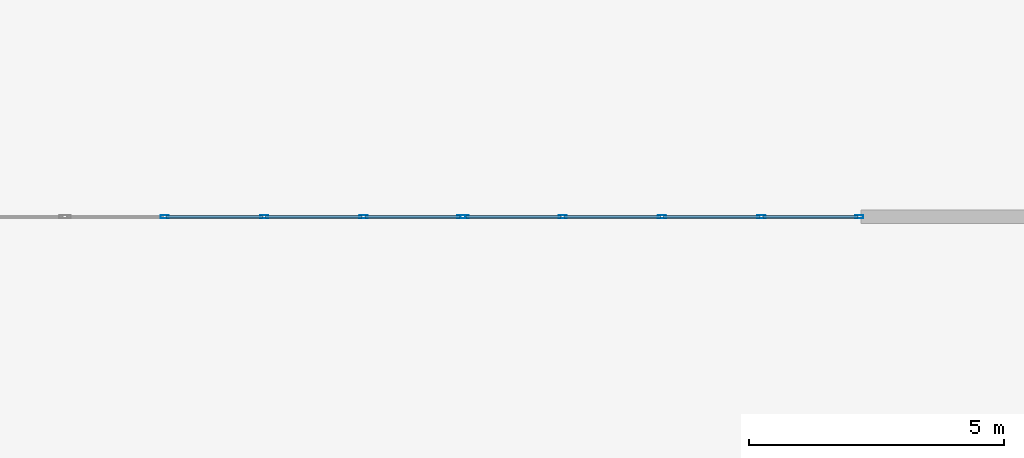
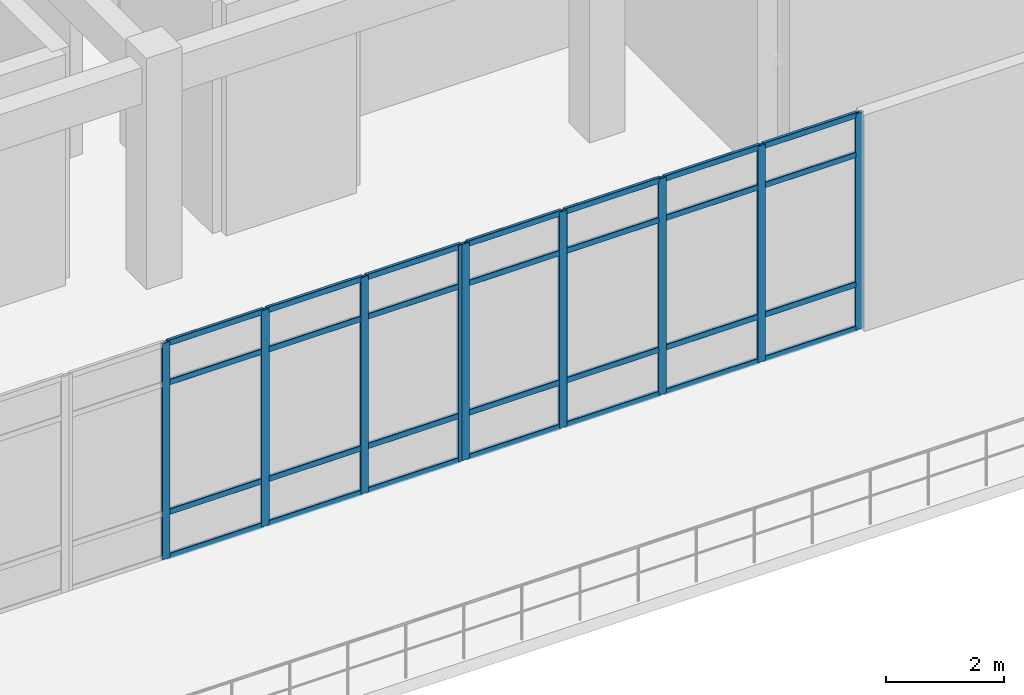
# One storey, part 14 of 64: 37 members, 2 elements without a shape of their own.
"""IFC4 building model written with IfcOpenShell, lengths in metres."""

from ifc_helpers import new_model, si_unit, derived_unit, direction, frame, origin, origin_2d, place, context, subcontext, project, spatial, hollow_rectangle, extrude, material, layer, layer_set, material_profile, profile_set, type_object, element, aggregate, save


model = new_model("IFC4")

# Units and contexts
model_context = context("Model", 3, precision=1e-05, world=origin(), true_north=direction((0.0, 1.0)))
body_context = subcontext(model_context, "Body", "Model", "MODEL_VIEW")
ifc_project = project(units=[si_unit("LENGTHUNIT", "METRE"), si_unit("AREAUNIT", "SQUARE_METRE"), si_unit("VOLUMEUNIT", "CUBIC_METRE"), si_unit("PLANEANGLEUNIT", "RADIAN"), si_unit("MASSUNIT", "GRAM", prefix="KILO"), derived_unit("THERMALTRANSMITTANCEUNIT", [(si_unit("MASSUNIT", "GRAM", prefix="KILO"), 1), (si_unit("TIMEUNIT", "SECOND"), -3), (si_unit("THERMODYNAMICTEMPERATUREUNIT", "KELVIN"), -1)])], contexts=[model_context])

# Site, building, storey
site_placement = place(None, origin())
site = spatial("IfcSite", under=ifc_project, at=site_placement, CompositionType="ELEMENT")
building_placement = place(site_placement, origin())
building = spatial("IfcBuilding", under=site, at=building_placement, Name="Qinzheling Arcade Emporium", CompositionType="ELEMENT")
storey_placement = place(building_placement, frame((0.0, 0.0, 31.5)))
storey = spatial("IfcBuildingStorey", under=building, at=storey_placement, Name="L07", CompositionType="ELEMENT", Elevation=31.5)

# Curtain wall, members
ifc_material_1 = material(Name="Anodised aluminium and solar-control double glazing", Category="aluminium")
ifc_layer = layer(ifc_material_1, 0.159912109375, Name="Anodised aluminium and solar-control double glazing", Category="aluminium")
ifc_layer_set = layer_set([ifc_layer], Name="Anodised aluminium and solar-control double glazing")
curtain_wall_type = type_object("IfcCurtainWallType", Name="Arcade Portal Glazed Curtain Wall", PredefinedType="NOTDEFINED", material=ifc_layer_set)
curtain_wall_1_placement = place(storey_placement, origin())
curtain_wall_1 = element("IfcCurtainWall", 1, at=curtain_wall_1_placement, inside=storey, type_object=curtain_wall_type, Name="Curtain Wall CW-L07-397", PredefinedType="NOTDEFINED")
ifc_material_2 = material(Name="Anodised aluminium 6063-T6", Category="aluminium")
ifc_material_profile_1 = material_profile(ifc_material_2, hollow_rectangle(XDim=0.06005859375, YDim=0.159912109375, WallThickness=0.00390625, InnerFilletRadius=0.00390625, OuterFilletRadius=0.008056640625, at=origin_2d()), Name="RHS 160x60x4", Category="aluminium")
ifc_profile_set_1 = profile_set([ifc_material_profile_1], Name="Anodised aluminium 6063-T6")
member_type_1 = type_object("IfcMemberType", Name="Curtain Wall Mullion RHS160x60", PredefinedType="MULLION", material=ifc_profile_set_1)
member_1_placement = place(storey_placement, frame((61.76806640625, 17.800048828125, 0.0), z_axis=(0.0, 0.0, 1.0), x_axis=(0.0, -1.0, 0.0)))
member_1 = element("IfcMember", 2, at=member_1_placement, type_object=member_type_1, Name="CW05 mullion 1", PredefinedType="MULLION", context=body_context, shape_type="SweptSolid", body=[
    extrude(hollow_rectangle(XDim=0.06005859375, YDim=0.159912109375, WallThickness=0.00390625, InnerFilletRadius=0.00390625, OuterFilletRadius=0.008056640625, at=origin_2d()), origin(), (0.0, 0.0, 1.0), 4.489990234375),
])
member_2_placement = place(storey_placement, frame((59.84912109375, 17.800048828125, 0.0), z_axis=(0.0, 0.0, 1.0), x_axis=(0.0, -1.0, 0.0)))
member_2 = element("IfcMember", 3, at=member_2_placement, type_object=member_type_1, Name="CW05 mullion 2", PredefinedType="MULLION", context=body_context, shape_type="SweptSolid", body=[
    extrude(hollow_rectangle(XDim=0.06005859375, YDim=0.159912109375, WallThickness=0.00390625, InnerFilletRadius=0.00390625, OuterFilletRadius=0.008056640625, at=origin_2d()), origin(), (0.0, 0.0, 1.0), 4.489990234375),
])
member_3_placement = place(storey_placement, frame((57.89990234375, 17.800048828125, 0.0), z_axis=(0.0, 0.0, 1.0), x_axis=(0.0, -1.0, 0.0)))
member_3 = element("IfcMember", 4, at=member_3_placement, type_object=member_type_1, Name="CW05 mullion 3", PredefinedType="MULLION", context=body_context, shape_type="SweptSolid", body=[
    extrude(hollow_rectangle(XDim=0.06005859375, YDim=0.159912109375, WallThickness=0.00390625, InnerFilletRadius=0.00390625, OuterFilletRadius=0.008056640625, at=origin_2d()), origin(), (0.0, 0.0, 1.0), 4.489990234375),
])
member_4_placement = place(storey_placement, frame((55.950927734375, 17.800048828125, 0.0), z_axis=(0.0, 0.0, 1.0), x_axis=(0.0, -1.0, 0.0)))
member_4 = element("IfcMember", 5, at=member_4_placement, type_object=member_type_1, Name="CW05 mullion 4", PredefinedType="MULLION", context=body_context, shape_type="SweptSolid", body=[
    extrude(hollow_rectangle(XDim=0.06005859375, YDim=0.159912109375, WallThickness=0.00390625, InnerFilletRadius=0.00390625, OuterFilletRadius=0.008056640625, at=origin_2d()), origin(), (0.0, 0.0, 1.0), 4.489990234375),
])
member_5_placement = place(storey_placement, frame((54.031982421875, 17.800048828125, 0.0), z_axis=(0.0, 0.0, 1.0), x_axis=(0.0, -1.0, 0.0)))
member_5 = element("IfcMember", 6, at=member_5_placement, type_object=member_type_1, Name="CW05 mullion 5", PredefinedType="MULLION", context=body_context, shape_type="SweptSolid", body=[
    extrude(hollow_rectangle(XDim=0.06005859375, YDim=0.159912109375, WallThickness=0.00390625, InnerFilletRadius=0.00390625, OuterFilletRadius=0.008056640625, at=origin_2d()), origin(), (0.0, 0.0, 1.0), 4.489990234375),
])

curtain_wall_2_placement = place(storey_placement, origin())
curtain_wall_2 = element("IfcCurtainWall", 7, at=curtain_wall_2_placement, inside=storey, type_object=curtain_wall_type, Name="Curtain Wall CW-L07-398", PredefinedType="NOTDEFINED")
member_6_placement = place(storey_placement, frame((53.968017578125, 17.800048828125, 0.0), z_axis=(0.0, 0.0, 1.0), x_axis=(0.0, -1.0, 0.0)))
member_6 = element("IfcMember", 8, at=member_6_placement, type_object=member_type_1, Name="CW05 mullion 1", PredefinedType="MULLION", context=body_context, shape_type="SweptSolid", body=[
    extrude(hollow_rectangle(XDim=0.06005859375, YDim=0.159912109375, WallThickness=0.00390625, InnerFilletRadius=0.00390625, OuterFilletRadius=0.008056640625, at=origin_2d()), origin(), (0.0, 0.0, 1.0), 4.489990234375),
])
member_7_placement = place(storey_placement, frame((52.049072265625, 17.800048828125, 0.0), z_axis=(0.0, 0.0, 1.0), x_axis=(0.0, -1.0, 0.0)))
member_7 = element("IfcMember", 9, at=member_7_placement, type_object=member_type_1, Name="CW05 mullion 2", PredefinedType="MULLION", context=body_context, shape_type="SweptSolid", body=[
    extrude(hollow_rectangle(XDim=0.06005859375, YDim=0.159912109375, WallThickness=0.00390625, InnerFilletRadius=0.00390625, OuterFilletRadius=0.008056640625, at=origin_2d()), origin(), (0.0, 0.0, 1.0), 4.489990234375),
])
member_8_placement = place(storey_placement, frame((50.10009765625, 17.800048828125, 0.0), z_axis=(0.0, 0.0, 1.0), x_axis=(0.0, -1.0, 0.0)))
member_8 = element("IfcMember", 10, at=member_8_placement, type_object=member_type_1, Name="CW05 mullion 3", PredefinedType="MULLION", context=body_context, shape_type="SweptSolid", body=[
    extrude(hollow_rectangle(XDim=0.06005859375, YDim=0.159912109375, WallThickness=0.00390625, InnerFilletRadius=0.00390625, OuterFilletRadius=0.008056640625, at=origin_2d()), origin(), (0.0, 0.0, 1.0), 4.489990234375),
])
member_9_placement = place(storey_placement, frame((48.15087890625, 17.800048828125, 0.0), z_axis=(0.0, 0.0, 1.0), x_axis=(0.0, -1.0, 0.0)))
member_9 = element("IfcMember", 11, at=member_9_placement, type_object=member_type_1, Name="CW05 mullion 4", PredefinedType="MULLION", context=body_context, shape_type="SweptSolid", body=[
    extrude(hollow_rectangle(XDim=0.06005859375, YDim=0.159912109375, WallThickness=0.00390625, InnerFilletRadius=0.00390625, OuterFilletRadius=0.008056640625, at=origin_2d()), origin(), (0.0, 0.0, 1.0), 4.489990234375),
])

# Member
ifc_material_profile_2 = material_profile(ifc_material_2, hollow_rectangle(XDim=0.06005859375, YDim=0.1201171875, WallThickness=0.00390625, InnerFilletRadius=0.00390625, OuterFilletRadius=0.008056640625, at=origin_2d()), Name="RHS 120x60x4", Category="aluminium")
ifc_profile_set_2 = profile_set([ifc_material_profile_2], Name="Anodised aluminium 6063-T6")
member_type_2 = type_object("IfcMemberType", Name="Curtain Wall Transom RHS120x60", PredefinedType="USERDEFINED", material=ifc_profile_set_2)
member_10_placement = place(storey_placement, frame((61.738037109375, 17.800048828125, 0.030029296875), z_axis=(-1.0, 0.0, 0.0), x_axis=(0.0, -1.0, 0.0)))
member_10 = element("IfcMember", 12, at=member_10_placement, type_object=member_type_2, Name="CW05 transom 1.1", ObjectType="TRANSOM", PredefinedType="USERDEFINED", context=body_context, shape_type="SweptSolid", body=[
    extrude(hollow_rectangle(XDim=0.06005859375, YDim=0.1201171875, WallThickness=0.00390625, InnerFilletRadius=0.00390625, OuterFilletRadius=0.008056640625, at=origin_2d()), origin(), (0.0, 0.0, 1.0), 1.859130859375),
])

member_11_placement = place(storey_placement, frame((61.738037109375, 17.800048828125, 0.949951171875), z_axis=(-1.0, 0.0, 0.0), x_axis=(0.0, -1.0, 0.0)))
member_11 = element("IfcMember", 13, at=member_11_placement, type_object=member_type_2, Name="CW05 transom 1.2", ObjectType="TRANSOM", PredefinedType="USERDEFINED", context=body_context, shape_type="SweptSolid", body=[
    extrude(hollow_rectangle(XDim=0.06005859375, YDim=0.1201171875, WallThickness=0.00390625, InnerFilletRadius=0.00390625, OuterFilletRadius=0.008056640625, at=origin_2d()), origin(), (0.0, 0.0, 1.0), 1.859130859375),
])

member_12_placement = place(storey_placement, frame((61.738037109375, 17.800048828125, 3.639892578125), z_axis=(-1.0, 0.0, 0.0), x_axis=(0.0, -1.0, 0.0)))
member_12 = element("IfcMember", 14, at=member_12_placement, type_object=member_type_2, Name="CW05 transom 1.3", ObjectType="TRANSOM", PredefinedType="USERDEFINED", context=body_context, shape_type="SweptSolid", body=[
    extrude(hollow_rectangle(XDim=0.06005859375, YDim=0.1201171875, WallThickness=0.00390625, InnerFilletRadius=0.00390625, OuterFilletRadius=0.008056640625, at=origin_2d()), origin(), (0.0, 0.0, 1.0), 1.859130859375),
])

member_13_placement = place(storey_placement, frame((61.738037109375, 17.800048828125, 4.4599609375), z_axis=(-1.0, 0.0, 0.0), x_axis=(0.0, -1.0, 0.0)))
member_13 = element("IfcMember", 15, at=member_13_placement, type_object=member_type_2, Name="CW05 transom 1.4", ObjectType="TRANSOM", PredefinedType="USERDEFINED", context=body_context, shape_type="SweptSolid", body=[
    extrude(hollow_rectangle(XDim=0.06005859375, YDim=0.1201171875, WallThickness=0.00390625, InnerFilletRadius=0.00390625, OuterFilletRadius=0.008056640625, at=origin_2d()), origin(), (0.0, 0.0, 1.0), 1.859130859375),
])

member_14_placement = place(storey_placement, frame((59.819091796875, 17.800048828125, 0.030029296875), z_axis=(-1.0, 0.0, 0.0), x_axis=(0.0, -1.0, 0.0)))
member_14 = element("IfcMember", 16, at=member_14_placement, type_object=member_type_2, Name="CW05 transom 2.1", ObjectType="TRANSOM", PredefinedType="USERDEFINED", context=body_context, shape_type="SweptSolid", body=[
    extrude(hollow_rectangle(XDim=0.06005859375, YDim=0.1201171875, WallThickness=0.00390625, InnerFilletRadius=0.00390625, OuterFilletRadius=0.008056640625, at=origin_2d()), origin(), (0.0, 0.0, 1.0), 1.88916015625),
])

member_15_placement = place(storey_placement, frame((59.819091796875, 17.800048828125, 0.949951171875), z_axis=(-1.0, 0.0, 0.0), x_axis=(0.0, -1.0, 0.0)))
member_15 = element("IfcMember", 17, at=member_15_placement, type_object=member_type_2, Name="CW05 transom 2.2", ObjectType="TRANSOM", PredefinedType="USERDEFINED", context=body_context, shape_type="SweptSolid", body=[
    extrude(hollow_rectangle(XDim=0.06005859375, YDim=0.1201171875, WallThickness=0.00390625, InnerFilletRadius=0.00390625, OuterFilletRadius=0.008056640625, at=origin_2d()), origin(), (0.0, 0.0, 1.0), 1.88916015625),
])

member_16_placement = place(storey_placement, frame((59.819091796875, 17.800048828125, 3.639892578125), z_axis=(-1.0, 0.0, 0.0), x_axis=(0.0, -1.0, 0.0)))
member_16 = element("IfcMember", 18, at=member_16_placement, type_object=member_type_2, Name="CW05 transom 2.3", ObjectType="TRANSOM", PredefinedType="USERDEFINED", context=body_context, shape_type="SweptSolid", body=[
    extrude(hollow_rectangle(XDim=0.06005859375, YDim=0.1201171875, WallThickness=0.00390625, InnerFilletRadius=0.00390625, OuterFilletRadius=0.008056640625, at=origin_2d()), origin(), (0.0, 0.0, 1.0), 1.88916015625),
])

member_17_placement = place(storey_placement, frame((59.819091796875, 17.800048828125, 4.4599609375), z_axis=(-1.0, 0.0, 0.0), x_axis=(0.0, -1.0, 0.0)))
member_17 = element("IfcMember", 19, at=member_17_placement, type_object=member_type_2, Name="CW05 transom 2.4", ObjectType="TRANSOM", PredefinedType="USERDEFINED", context=body_context, shape_type="SweptSolid", body=[
    extrude(hollow_rectangle(XDim=0.06005859375, YDim=0.1201171875, WallThickness=0.00390625, InnerFilletRadius=0.00390625, OuterFilletRadius=0.008056640625, at=origin_2d()), origin(), (0.0, 0.0, 1.0), 1.88916015625),
])

member_18_placement = place(storey_placement, frame((57.8701171875, 17.800048828125, 0.030029296875), z_axis=(-1.0, 0.0, 0.0), x_axis=(0.0, -1.0, 0.0)))
member_18 = element("IfcMember", 20, at=member_18_placement, type_object=member_type_2, Name="CW05 transom 3.1", ObjectType="TRANSOM", PredefinedType="USERDEFINED", context=body_context, shape_type="SweptSolid", body=[
    extrude(hollow_rectangle(XDim=0.06005859375, YDim=0.1201171875, WallThickness=0.00390625, InnerFilletRadius=0.00390625, OuterFilletRadius=0.008056640625, at=origin_2d()), origin(), (0.0, 0.0, 1.0), 1.88916015625),
])

member_19_placement = place(storey_placement, frame((57.8701171875, 17.800048828125, 0.949951171875), z_axis=(-1.0, 0.0, 0.0), x_axis=(0.0, -1.0, 0.0)))
member_19 = element("IfcMember", 21, at=member_19_placement, type_object=member_type_2, Name="CW05 transom 3.2", ObjectType="TRANSOM", PredefinedType="USERDEFINED", context=body_context, shape_type="SweptSolid", body=[
    extrude(hollow_rectangle(XDim=0.06005859375, YDim=0.1201171875, WallThickness=0.00390625, InnerFilletRadius=0.00390625, OuterFilletRadius=0.008056640625, at=origin_2d()), origin(), (0.0, 0.0, 1.0), 1.88916015625),
])

member_20_placement = place(storey_placement, frame((57.8701171875, 17.800048828125, 3.639892578125), z_axis=(-1.0, 0.0, 0.0), x_axis=(0.0, -1.0, 0.0)))
member_20 = element("IfcMember", 22, at=member_20_placement, type_object=member_type_2, Name="CW05 transom 3.3", ObjectType="TRANSOM", PredefinedType="USERDEFINED", context=body_context, shape_type="SweptSolid", body=[
    extrude(hollow_rectangle(XDim=0.06005859375, YDim=0.1201171875, WallThickness=0.00390625, InnerFilletRadius=0.00390625, OuterFilletRadius=0.008056640625, at=origin_2d()), origin(), (0.0, 0.0, 1.0), 1.88916015625),
])

member_21_placement = place(storey_placement, frame((57.8701171875, 17.800048828125, 4.4599609375), z_axis=(-1.0, 0.0, 0.0), x_axis=(0.0, -1.0, 0.0)))
member_21 = element("IfcMember", 23, at=member_21_placement, type_object=member_type_2, Name="CW05 transom 3.4", ObjectType="TRANSOM", PredefinedType="USERDEFINED", context=body_context, shape_type="SweptSolid", body=[
    extrude(hollow_rectangle(XDim=0.06005859375, YDim=0.1201171875, WallThickness=0.00390625, InnerFilletRadius=0.00390625, OuterFilletRadius=0.008056640625, at=origin_2d()), origin(), (0.0, 0.0, 1.0), 1.88916015625),
])

member_22_placement = place(storey_placement, frame((55.9208984375, 17.800048828125, 0.030029296875), z_axis=(-1.0, 0.0, 0.0), x_axis=(0.0, -1.0, 0.0)))
member_22 = element("IfcMember", 24, at=member_22_placement, type_object=member_type_2, Name="CW05 transom 4.1", ObjectType="TRANSOM", PredefinedType="USERDEFINED", context=body_context, shape_type="SweptSolid", body=[
    extrude(hollow_rectangle(XDim=0.06005859375, YDim=0.1201171875, WallThickness=0.00390625, InnerFilletRadius=0.00390625, OuterFilletRadius=0.008056640625, at=origin_2d()), origin(), (0.0, 0.0, 1.0), 1.85888671875),
])

member_23_placement = place(storey_placement, frame((55.9208984375, 17.800048828125, 0.949951171875), z_axis=(-1.0, 0.0, 0.0), x_axis=(0.0, -1.0, 0.0)))
member_23 = element("IfcMember", 25, at=member_23_placement, type_object=member_type_2, Name="CW05 transom 4.2", ObjectType="TRANSOM", PredefinedType="USERDEFINED", context=body_context, shape_type="SweptSolid", body=[
    extrude(hollow_rectangle(XDim=0.06005859375, YDim=0.1201171875, WallThickness=0.00390625, InnerFilletRadius=0.00390625, OuterFilletRadius=0.008056640625, at=origin_2d()), origin(), (0.0, 0.0, 1.0), 1.85888671875),
])

member_24_placement = place(storey_placement, frame((55.9208984375, 17.800048828125, 3.639892578125), z_axis=(-1.0, 0.0, 0.0), x_axis=(0.0, -1.0, 0.0)))
member_24 = element("IfcMember", 26, at=member_24_placement, type_object=member_type_2, Name="CW05 transom 4.3", ObjectType="TRANSOM", PredefinedType="USERDEFINED", context=body_context, shape_type="SweptSolid", body=[
    extrude(hollow_rectangle(XDim=0.06005859375, YDim=0.1201171875, WallThickness=0.00390625, InnerFilletRadius=0.00390625, OuterFilletRadius=0.008056640625, at=origin_2d()), origin(), (0.0, 0.0, 1.0), 1.85888671875),
])

member_25_placement = place(storey_placement, frame((55.9208984375, 17.800048828125, 4.4599609375), z_axis=(-1.0, 0.0, 0.0), x_axis=(0.0, -1.0, 0.0)))
member_25 = element("IfcMember", 27, at=member_25_placement, type_object=member_type_2, Name="CW05 transom 4.4", ObjectType="TRANSOM", PredefinedType="USERDEFINED", context=body_context, shape_type="SweptSolid", body=[
    extrude(hollow_rectangle(XDim=0.06005859375, YDim=0.1201171875, WallThickness=0.00390625, InnerFilletRadius=0.00390625, OuterFilletRadius=0.008056640625, at=origin_2d()), origin(), (0.0, 0.0, 1.0), 1.85888671875),
])

aggregate(curtain_wall_1, [member_1, member_2, member_3, member_4, member_5, member_10, member_11, member_12, member_13, member_14, member_15, member_16, member_17, member_18, member_19, member_20, member_21, member_22, member_23, member_24, member_25])

member_26_placement = place(storey_placement, frame((53.93798828125, 17.800048828125, 0.030029296875), z_axis=(-1.0, 0.0, 0.0), x_axis=(0.0, -1.0, 0.0)))
member_26 = element("IfcMember", 28, at=member_26_placement, type_object=member_type_2, Name="CW05 transom 1.1", ObjectType="TRANSOM", PredefinedType="USERDEFINED", context=body_context, shape_type="SweptSolid", body=[
    extrude(hollow_rectangle(XDim=0.06005859375, YDim=0.1201171875, WallThickness=0.00390625, InnerFilletRadius=0.00390625, OuterFilletRadius=0.008056640625, at=origin_2d()), origin(), (0.0, 0.0, 1.0), 1.85888671875),
])

member_27_placement = place(storey_placement, frame((53.93798828125, 17.800048828125, 0.949951171875), z_axis=(-1.0, 0.0, 0.0), x_axis=(0.0, -1.0, 0.0)))
member_27 = element("IfcMember", 29, at=member_27_placement, type_object=member_type_2, Name="CW05 transom 1.2", ObjectType="TRANSOM", PredefinedType="USERDEFINED", context=body_context, shape_type="SweptSolid", body=[
    extrude(hollow_rectangle(XDim=0.06005859375, YDim=0.1201171875, WallThickness=0.00390625, InnerFilletRadius=0.00390625, OuterFilletRadius=0.008056640625, at=origin_2d()), origin(), (0.0, 0.0, 1.0), 1.85888671875),
])

member_28_placement = place(storey_placement, frame((53.93798828125, 17.800048828125, 3.639892578125), z_axis=(-1.0, 0.0, 0.0), x_axis=(0.0, -1.0, 0.0)))
member_28 = element("IfcMember", 30, at=member_28_placement, type_object=member_type_2, Name="CW05 transom 1.3", ObjectType="TRANSOM", PredefinedType="USERDEFINED", context=body_context, shape_type="SweptSolid", body=[
    extrude(hollow_rectangle(XDim=0.06005859375, YDim=0.1201171875, WallThickness=0.00390625, InnerFilletRadius=0.00390625, OuterFilletRadius=0.008056640625, at=origin_2d()), origin(), (0.0, 0.0, 1.0), 1.85888671875),
])

member_29_placement = place(storey_placement, frame((53.93798828125, 17.800048828125, 4.4599609375), z_axis=(-1.0, 0.0, 0.0), x_axis=(0.0, -1.0, 0.0)))
member_29 = element("IfcMember", 31, at=member_29_placement, type_object=member_type_2, Name="CW05 transom 1.4", ObjectType="TRANSOM", PredefinedType="USERDEFINED", context=body_context, shape_type="SweptSolid", body=[
    extrude(hollow_rectangle(XDim=0.06005859375, YDim=0.1201171875, WallThickness=0.00390625, InnerFilletRadius=0.00390625, OuterFilletRadius=0.008056640625, at=origin_2d()), origin(), (0.0, 0.0, 1.0), 1.85888671875),
])

member_30_placement = place(storey_placement, frame((52.01904296875, 17.800048828125, 0.030029296875), z_axis=(-1.0, 0.0, 0.0), x_axis=(0.0, -1.0, 0.0)))
member_30 = element("IfcMember", 32, at=member_30_placement, type_object=member_type_2, Name="CW05 transom 2.1", ObjectType="TRANSOM", PredefinedType="USERDEFINED", context=body_context, shape_type="SweptSolid", body=[
    extrude(hollow_rectangle(XDim=0.06005859375, YDim=0.1201171875, WallThickness=0.00390625, InnerFilletRadius=0.00390625, OuterFilletRadius=0.008056640625, at=origin_2d()), origin(), (0.0, 0.0, 1.0), 1.88916015625),
])

member_31_placement = place(storey_placement, frame((52.01904296875, 17.800048828125, 0.949951171875), z_axis=(-1.0, 0.0, 0.0), x_axis=(0.0, -1.0, 0.0)))
member_31 = element("IfcMember", 33, at=member_31_placement, type_object=member_type_2, Name="CW05 transom 2.2", ObjectType="TRANSOM", PredefinedType="USERDEFINED", context=body_context, shape_type="SweptSolid", body=[
    extrude(hollow_rectangle(XDim=0.06005859375, YDim=0.1201171875, WallThickness=0.00390625, InnerFilletRadius=0.00390625, OuterFilletRadius=0.008056640625, at=origin_2d()), origin(), (0.0, 0.0, 1.0), 1.88916015625),
])

member_32_placement = place(storey_placement, frame((52.01904296875, 17.800048828125, 3.639892578125), z_axis=(-1.0, 0.0, 0.0), x_axis=(0.0, -1.0, 0.0)))
member_32 = element("IfcMember", 34, at=member_32_placement, type_object=member_type_2, Name="CW05 transom 2.3", ObjectType="TRANSOM", PredefinedType="USERDEFINED", context=body_context, shape_type="SweptSolid", body=[
    extrude(hollow_rectangle(XDim=0.06005859375, YDim=0.1201171875, WallThickness=0.00390625, InnerFilletRadius=0.00390625, OuterFilletRadius=0.008056640625, at=origin_2d()), origin(), (0.0, 0.0, 1.0), 1.88916015625),
])

member_33_placement = place(storey_placement, frame((52.01904296875, 17.800048828125, 4.4599609375), z_axis=(-1.0, 0.0, 0.0), x_axis=(0.0, -1.0, 0.0)))
member_33 = element("IfcMember", 35, at=member_33_placement, type_object=member_type_2, Name="CW05 transom 2.4", ObjectType="TRANSOM", PredefinedType="USERDEFINED", context=body_context, shape_type="SweptSolid", body=[
    extrude(hollow_rectangle(XDim=0.06005859375, YDim=0.1201171875, WallThickness=0.00390625, InnerFilletRadius=0.00390625, OuterFilletRadius=0.008056640625, at=origin_2d()), origin(), (0.0, 0.0, 1.0), 1.88916015625),
])

member_34_placement = place(storey_placement, frame((50.070068359375, 17.800048828125, 0.030029296875), z_axis=(-1.0, 0.0, 0.0), x_axis=(0.0, -1.0, 0.0)))
member_34 = element("IfcMember", 36, at=member_34_placement, type_object=member_type_2, Name="CW05 transom 3.1", ObjectType="TRANSOM", PredefinedType="USERDEFINED", context=body_context, shape_type="SweptSolid", body=[
    extrude(hollow_rectangle(XDim=0.06005859375, YDim=0.1201171875, WallThickness=0.00390625, InnerFilletRadius=0.00390625, OuterFilletRadius=0.008056640625, at=origin_2d()), origin(), (0.0, 0.0, 1.0), 1.88916015625),
])

member_35_placement = place(storey_placement, frame((50.070068359375, 17.800048828125, 0.949951171875), z_axis=(-1.0, 0.0, 0.0), x_axis=(0.0, -1.0, 0.0)))
member_35 = element("IfcMember", 37, at=member_35_placement, type_object=member_type_2, Name="CW05 transom 3.2", ObjectType="TRANSOM", PredefinedType="USERDEFINED", context=body_context, shape_type="SweptSolid", body=[
    extrude(hollow_rectangle(XDim=0.06005859375, YDim=0.1201171875, WallThickness=0.00390625, InnerFilletRadius=0.00390625, OuterFilletRadius=0.008056640625, at=origin_2d()), origin(), (0.0, 0.0, 1.0), 1.88916015625),
])

member_36_placement = place(storey_placement, frame((50.070068359375, 17.800048828125, 3.639892578125), z_axis=(-1.0, 0.0, 0.0), x_axis=(0.0, -1.0, 0.0)))
member_36 = element("IfcMember", 38, at=member_36_placement, type_object=member_type_2, Name="CW05 transom 3.3", ObjectType="TRANSOM", PredefinedType="USERDEFINED", context=body_context, shape_type="SweptSolid", body=[
    extrude(hollow_rectangle(XDim=0.06005859375, YDim=0.1201171875, WallThickness=0.00390625, InnerFilletRadius=0.00390625, OuterFilletRadius=0.008056640625, at=origin_2d()), origin(), (0.0, 0.0, 1.0), 1.88916015625),
])

member_37_placement = place(storey_placement, frame((50.070068359375, 17.800048828125, 4.4599609375), z_axis=(-1.0, 0.0, 0.0), x_axis=(0.0, -1.0, 0.0)))
member_37 = element("IfcMember", 39, at=member_37_placement, type_object=member_type_2, Name="CW05 transom 3.4", ObjectType="TRANSOM", PredefinedType="USERDEFINED", context=body_context, shape_type="SweptSolid", body=[
    extrude(hollow_rectangle(XDim=0.06005859375, YDim=0.1201171875, WallThickness=0.00390625, InnerFilletRadius=0.00390625, OuterFilletRadius=0.008056640625, at=origin_2d()), origin(), (0.0, 0.0, 1.0), 1.88916015625),
])

aggregate(curtain_wall_2, [member_6, member_7, member_8, member_9, member_26, member_27, member_28, member_29, member_30, member_31, member_32, member_33, member_34, member_35, member_36, member_37])

save(model, "model.ifc")
